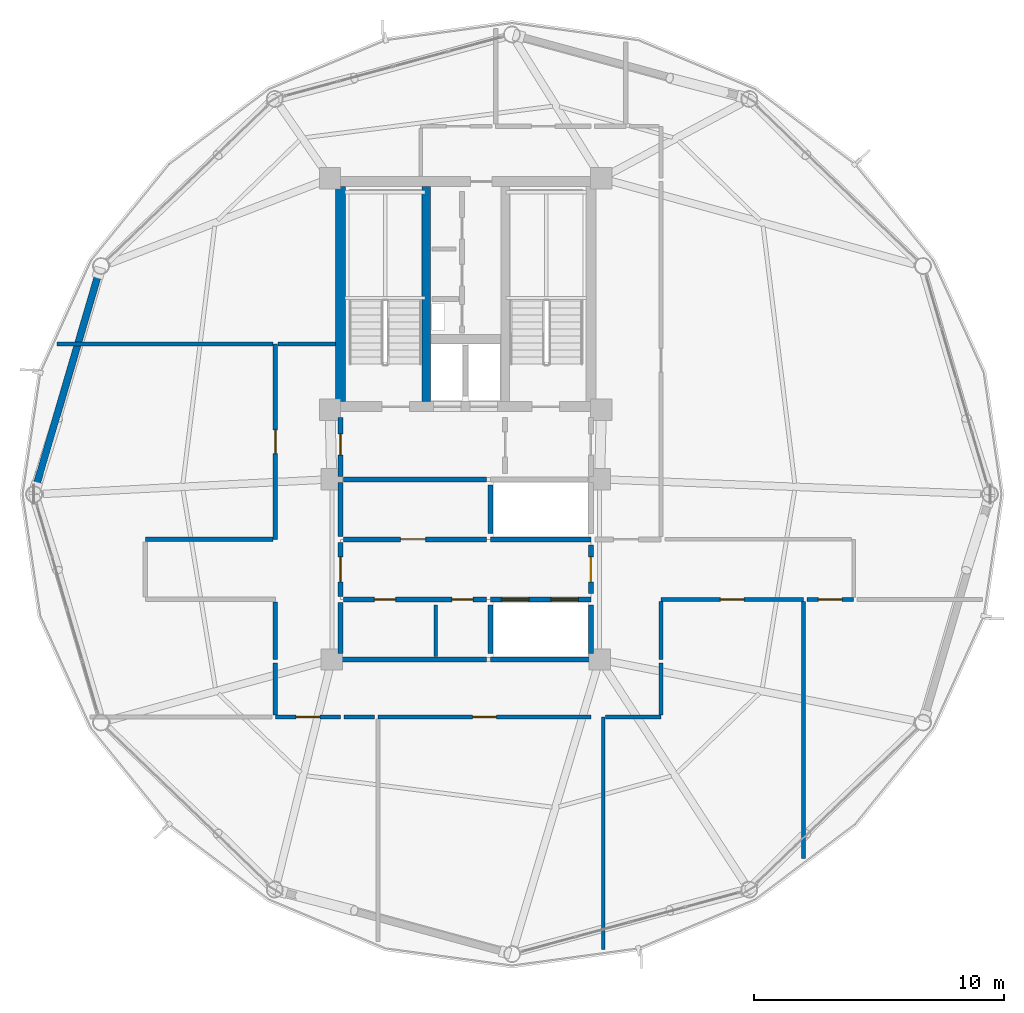
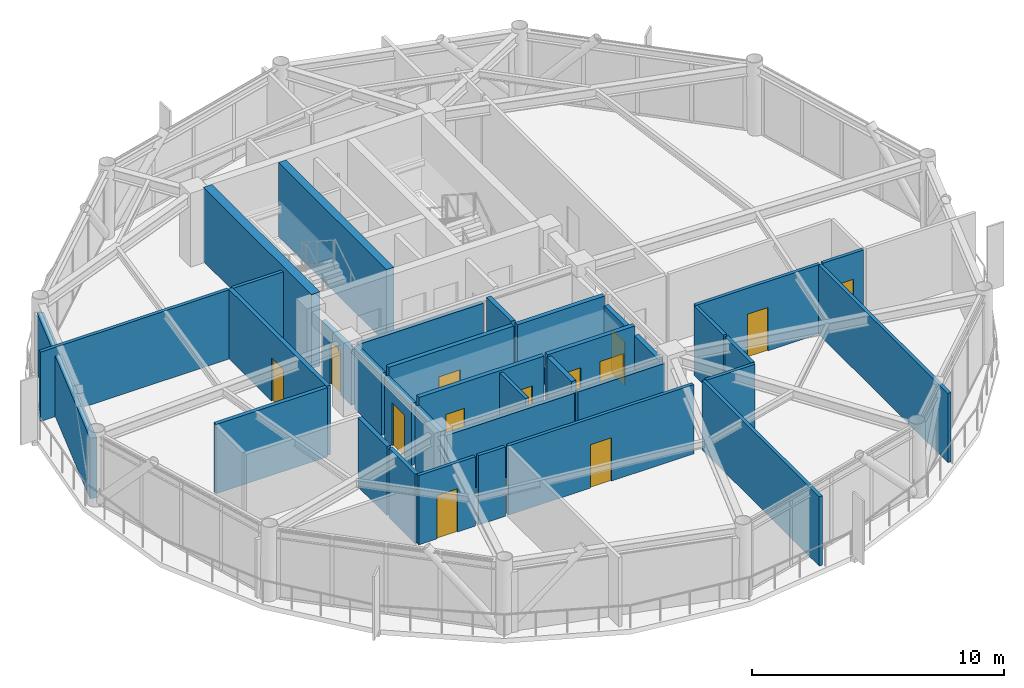
# One storey, part 23 of 28: 35 walls, 13 doors, 13 openings.
"""IFC4 building model written with IfcOpenShell, lengths in metres."""

from ifc_helpers import new_model, si_unit, direction, frame, frame_2d, origin, place, context, subcontext, project, spatial, rectangle, extrude, material, layer, layer_set, type_object, element, fill, save


model = new_model("IFC4")

# Units and contexts
model_context = context("Model", 3, precision=1e-05, world=origin(), true_north=direction((0.0, 1.0)))
body_context = subcontext(model_context, "Body", "Model", "MODEL_VIEW")
ifc_project = project(units=[si_unit("LENGTHUNIT", "METRE"), si_unit("AREAUNIT", "SQUARE_METRE"), si_unit("VOLUMEUNIT", "CUBIC_METRE"), si_unit("PLANEANGLEUNIT", "RADIAN"), si_unit("MASSUNIT", "GRAM", prefix="KILO")], contexts=[model_context])

# Site, building, storey
site_placement = place(None, origin())
site = spatial("IfcSite", under=ifc_project, at=site_placement, CompositionType="ELEMENT")
building_placement = place(site_placement, origin())
building = spatial("IfcBuilding", under=site, at=building_placement, Name="Varnakorn Sky Granary", CompositionType="ELEMENT")
storey_placement = place(building_placement, frame((0.0, 0.0, 214.800048828125)))
storey = spatial("IfcBuildingStorey", under=building, at=storey_placement, Name="L54", CompositionType="ELEMENT", Elevation=214.800048828125)

# Walls
ifc_material_1 = material(Name="Concrete C50/60", Category="concrete")
ifc_layer_1 = layer(ifc_material_1, 0.35009765625, Name="Concrete C50/60")
ifc_layer_set_1 = layer_set([ifc_layer_1], Name="Concrete C50/60")
wall_type_1 = type_object("IfcWallType", Name="WT-CW-INT-350", PredefinedType="SHEAR", material=ifc_layer_set_1)
wall_1_placement = place(storey_placement, frame((1.419921875, 3.7099609375, 0.0), z_axis=(0.0, 0.0, 1.0), x_axis=(0.0, 1.0, 0.0)))
element("IfcWall", 1, at=wall_1_placement, inside=storey, type_object=wall_type_1, Name="Stair ST-1 Core Wall L54", PredefinedType="SHEAR", context=body_context, shape_type="SweptSolid", body=[
    extrude(rectangle(XDim=8.580078125, YDim=0.35009765625, at=frame_2d((4.2900390625, 0.0))), origin(), (0.0, 0.0, 1.0), 3.592041015625),
])
ifc_layer_2 = layer(ifc_material_1, 0.39990234375, Name="Concrete C50/60")
ifc_layer_set_2 = layer_set([ifc_layer_2], Name="Concrete C50/60")
wall_type_2 = type_object("IfcWallType", Name="WT-CW-SHEAR-400", PredefinedType="SHEAR", material=ifc_layer_set_2)
wall_2_placement = place(storey_placement, frame((-2.0, 3.7099609375, 0.0), z_axis=(0.0, 0.0, 1.0), x_axis=(0.0, 1.0, 0.0)))
element("IfcWall", 2, at=wall_2_placement, inside=storey, type_object=wall_type_2, Name="Core West Shear Wall L54", PredefinedType="SHEAR", context=body_context, shape_type="SweptSolid", body=[
    extrude(rectangle(XDim=8.580078125, YDim=0.39990234375, at=frame_2d((4.2900390625, 0.0))), origin(), (0.0, 0.0, 1.0), 3.592041015625),
])
ifc_material_2 = material(Name="Precast concrete C40/50", Category="concrete")
ifc_layer_3 = layer(ifc_material_2, 0.280029296875, Name="Precast concrete C40/50")
ifc_layer_set_3 = layer_set([ifc_layer_3], Name="Precast concrete C40/50")
wall_type_3 = type_object("IfcWallType", Name="WT-EW-CRN-280", PredefinedType="SOLIDWALL", material=ifc_layer_set_3)
wall_3_placement = place(storey_placement, frame((-14.1748046875, 0.2734375, 0.0), z_axis=(0.0, 0.0, 1.0), x_axis=(0.281584930997, 0.959536308138, 0.0)))
element("IfcWall", 3, at=wall_3_placement, inside=storey, type_object=wall_type_3, Name="Agritech Insulated Precast Facade Wall L54-P06", PredefinedType="SOLIDWALL", context=body_context, shape_type="SweptSolid", body=[
    extrude(rectangle(XDim=8.935546875, YDim=0.280029296875, at=frame_2d((4.4677734375, 0.0))), origin(), (0.0, 0.0, 1.0), 2.929931640625),
])

# Wall, opening, door
ifc_material_3 = material(Name="Autoclaved Aerated Concrete Blockwork", Category="masonry")
ifc_layer_4 = layer(ifc_material_3, 0.199951171875, Name="Autoclaved Aerated Concrete Blockwork")
ifc_layer_set_4 = layer_set([ifc_layer_4], Name="Autoclaved Aerated Concrete Blockwork")
wall_type_4 = type_object("IfcWallType", Name="WT-FIRE-200", PredefinedType="MOVABLE", material=ifc_layer_set_4)
wall_4_placement = place(storey_placement, frame((-2.0, 0.719970703125, 0.0), z_axis=(0.0, 0.0, 1.0), x_axis=(0.0, 1.0, 0.0)))
wall_4 = element("IfcWall", 4, at=wall_4_placement, inside=storey, type_object=wall_type_4, Name="Interior Partition Wall L54-013", PredefinedType="MOVABLE", context=body_context, shape_type="SweptSolid", body=[
    extrude(rectangle(XDim=2.35009765625, YDim=0.199951171875, at=frame_2d((1.175048828125, 0.0))), origin(), (0.0, 0.0, 1.0), 2.69189453125),
])
opening_1_placement = place(wall_4_placement, frame((0.844970703125, 0.0, 0.0)))
opening_1 = element("IfcOpeningElement", 5, at=opening_1_placement, cuts=wall_4, Name="Opening FD-60N", PredefinedType="OPENING", context=body_context, shape_type="SweptSolid", body=[
    extrude(rectangle(XDim=0.85009765625, YDim=2.10009765625, at=frame_2d((0.425048828125, 1.050048828125))), frame((0.0, 0.10986328125, 0.0), z_axis=(0.0, -1.0, 0.0), x_axis=(1.0, 0.0, 0.0)), (0.0, 0.0, 1.0), 0.219970703125),
])
ifc_material_4 = material(Name="Acoustic Timber Fire Leaf", Category="wood")
door_type_1 = type_object("IfcDoorType", Name="DR-FD60-850", OperationType="NOTDEFINED", PredefinedType="DOOR", material=ifc_material_4)
door_1_placement = place(opening_1_placement, origin())
door_1 = element("IfcDoor", 6, at=door_1_placement, inside=storey, type_object=door_type_1, Name="Interior Door L54-013-1", OperationType="SINGLE_SWING_RIGHT", OverallHeight=2.10009765625, OverallWidth=0.85009765625, PredefinedType="DOOR", context=body_context, shape_type="SweptSolid", body=[
    extrude(rectangle(XDim=0.85009765625, YDim=2.10009765625, at=frame_2d((0.425048828125, 1.050048828125))), frame((0.0, 0.02490234375, 0.0), z_axis=(0.0, -1.0, 0.0), x_axis=(1.0, 0.0, 0.0)), (0.0, 0.0, 1.0), 0.050048828125),
])
fill(opening_1, door_1)

wall_5_placement = place(storey_placement, frame((-2.0, -4.080078125, 0.0), z_axis=(0.0, 0.0, 1.0), x_axis=(0.0, 1.0, 0.0)))
wall_5 = element("IfcWall", 7, at=wall_5_placement, inside=storey, type_object=wall_type_4, Name="Interior Partition Wall L54-015", PredefinedType="MOVABLE", context=body_context, shape_type="SweptSolid", body=[
    extrude(rectangle(XDim=2.16015625, YDim=0.199951171875, at=frame_2d((1.080078125, 0.0))), origin(), (0.0, 0.0, 1.0), 3.011962890625),
])
opening_2_placement = place(wall_5_placement, frame((0.580078125, 0.0, 0.0)))
opening_2 = element("IfcOpeningElement", 8, at=opening_2_placement, cuts=wall_5, Name="Opening FD-60", PredefinedType="OPENING", context=body_context, shape_type="SweptSolid", body=[
    extrude(rectangle(XDim=1.0, YDim=2.10009765625, at=frame_2d((0.5, 1.050048828125))), frame((0.0, 0.10986328125, 0.0), z_axis=(0.0, -1.0, 0.0), x_axis=(1.0, 0.0, 0.0)), (0.0, 0.0, 1.0), 0.219970703125),
])
door_type_2 = type_object("IfcDoorType", Name="DR-FD60-1000", OperationType="NOTDEFINED", PredefinedType="DOOR", material=ifc_material_4)
door_2_placement = place(opening_2_placement, origin())
door_2 = element("IfcDoor", 9, at=door_2_placement, inside=storey, type_object=door_type_2, Name="Interior Door L54-015-1", OperationType="SINGLE_SWING_RIGHT", OverallHeight=2.10009765625, OverallWidth=1.0, PredefinedType="DOOR", context=body_context, shape_type="SweptSolid", body=[
    extrude(rectangle(XDim=1.0, YDim=2.10009765625, at=frame_2d((0.5, 1.050048828125))), frame((0.0, 0.02490234375, 0.0), z_axis=(0.0, -1.0, 0.0), x_axis=(1.0, 0.0, 0.0)), (0.0, 0.0, 1.0), 0.050048828125),
])
fill(opening_2, door_2)

wall_6_placement = place(storey_placement, frame((8.0, -3.969970703125, 0.0), z_axis=(0.0, 0.0, 1.0), x_axis=(0.0, 1.0, 0.0)))
wall_6 = element("IfcWall", 10, at=wall_6_placement, inside=storey, type_object=wall_type_4, Name="Interior Partition Wall L54-016", PredefinedType="MOVABLE", context=body_context, shape_type="SweptSolid", body=[
    extrude(rectangle(XDim=1.93994140625, YDim=0.199951171875, at=frame_2d((0.969970703125, 0.0))), origin(), (0.0, 0.0, 1.0), 3.011962890625),
])
opening_3_placement = place(wall_6_placement, frame((0.469970703125, 0.0, 0.0)))
opening_3 = element("IfcOpeningElement", 11, at=opening_3_placement, cuts=wall_6, Name="Opening FD-60", PredefinedType="OPENING", context=body_context, shape_type="SweptSolid", body=[
    extrude(rectangle(XDim=1.0, YDim=2.10009765625, at=frame_2d((0.5, 1.050048828125))), frame((0.0, 0.10986328125, 0.0), z_axis=(0.0, -1.0, 0.0), x_axis=(1.0, 0.0, 0.0)), (0.0, 0.0, 1.0), 0.219970703125),
])
door_3_placement = place(opening_3_placement, origin())
door_3 = element("IfcDoor", 12, at=door_3_placement, inside=storey, type_object=door_type_2, Name="Interior Door L54-016-1", OperationType="SINGLE_SWING_LEFT", OverallHeight=2.10009765625, OverallWidth=1.0, PredefinedType="DOOR", context=body_context, shape_type="SweptSolid", body=[
    extrude(rectangle(XDim=1.0, YDim=2.10009765625, at=frame_2d((0.5, 1.050048828125))), frame((0.0, 0.02490234375, 0.0), z_axis=(0.0, -1.0, 0.0), x_axis=(1.0, 0.0, 0.0)), (0.0, 0.0, 1.0), 0.050048828125),
])
fill(opening_3, door_3)

wall_7_placement = place(storey_placement, frame((-1.889892578125, -1.800048828125, 0.0), z_axis=(0.0, 0.0, 1.0), x_axis=(1.0, 0.0, 0.0)))
wall_7 = element("IfcWall", 13, at=wall_7_placement, inside=storey, type_object=wall_type_4, Name="Interior Partition Wall L54-017", PredefinedType="MOVABLE", context=body_context, shape_type="SweptSolid", body=[
    extrude(rectangle(XDim=5.72998046875, YDim=0.199951171875, at=frame_2d((2.864990234375, 0.0))), origin(), (0.0, 0.0, 1.0), 3.35986328125),
])
opening_4_placement = place(wall_7_placement, frame((2.2900390625, 0.0, 0.0)))
opening_4 = element("IfcOpeningElement", 14, at=opening_4_placement, cuts=wall_7, Name="Opening FD-60", PredefinedType="OPENING", context=body_context, shape_type="SweptSolid", body=[
    extrude(rectangle(XDim=1.0, YDim=2.10009765625, at=frame_2d((0.5, 1.050048828125))), frame((0.0, 0.10986328125, 0.0), z_axis=(0.0, -1.0, 0.0), x_axis=(1.0, 0.0, 0.0)), (0.0, 0.0, 1.0), 0.219970703125),
])
door_4_placement = place(opening_4_placement, origin())
door_4 = element("IfcDoor", 15, at=door_4_placement, inside=storey, type_object=door_type_2, Name="Interior Door L54-017-1", OperationType="SINGLE_SWING_RIGHT", OverallHeight=2.10009765625, OverallWidth=1.0, PredefinedType="DOOR", context=body_context, shape_type="SweptSolid", body=[
    extrude(rectangle(XDim=1.0, YDim=2.10009765625, at=frame_2d((0.5, 1.050048828125))), frame((0.0, 0.02490234375, 0.0), z_axis=(0.0, -1.0, 0.0), x_axis=(1.0, 0.0, 0.0)), (0.0, 0.0, 1.0), 0.050048828125),
])
fill(opening_4, door_4)

# Wall, openings, doors
wall_8_placement = place(storey_placement, frame((-1.889892578125, -4.199951171875, 0.0), z_axis=(0.0, 0.0, 1.0), x_axis=(1.0, 0.0, 0.0)))
wall_8 = element("IfcWall", 16, at=wall_8_placement, inside=storey, type_object=wall_type_4, Name="Interior Partition Wall L54-018", PredefinedType="MOVABLE", context=body_context, shape_type="SweptSolid", body=[
    extrude(rectangle(XDim=5.72998046875, YDim=0.199951171875, at=frame_2d((2.864990234375, 0.0))), origin(), (0.0, 0.0, 1.0), 3.35986328125),
])
opening_5_placement = place(wall_8_placement, frame((1.239990234375, 0.0, 0.0)))
opening_5 = element("IfcOpeningElement", 17, at=opening_5_placement, cuts=wall_8, Name="Opening FD-60N", PredefinedType="OPENING", context=body_context, shape_type="SweptSolid", body=[
    extrude(rectangle(XDim=0.85009765625, YDim=2.10009765625, at=frame_2d((0.425048828125, 1.050048828125))), frame((0.0, 0.10986328125, 0.0), z_axis=(0.0, -1.0, 0.0), x_axis=(1.0, 0.0, 0.0)), (0.0, 0.0, 1.0), 0.219970703125),
])
opening_6_placement = place(wall_8_placement, frame((4.340087890625, 0.0, 0.0)))
opening_6 = element("IfcOpeningElement", 18, at=opening_6_placement, cuts=wall_8, Name="Opening FD-60N", PredefinedType="OPENING", context=body_context, shape_type="SweptSolid", body=[
    extrude(rectangle(XDim=0.85009765625, YDim=2.10009765625, at=frame_2d((0.425048828125, 1.050048828125))), frame((0.0, 0.10986328125, 0.0), z_axis=(0.0, -1.0, 0.0), x_axis=(1.0, 0.0, 0.0)), (0.0, 0.0, 1.0), 0.219970703125),
])
door_5_placement = place(opening_5_placement, origin())
door_5 = element("IfcDoor", 19, at=door_5_placement, inside=storey, type_object=door_type_1, Name="Interior Door L54-018-1", OperationType="SINGLE_SWING_LEFT", OverallHeight=2.10009765625, OverallWidth=0.85009765625, PredefinedType="DOOR", context=body_context, shape_type="SweptSolid", body=[
    extrude(rectangle(XDim=0.85009765625, YDim=2.10009765625, at=frame_2d((0.425048828125, 1.050048828125))), frame((0.0, 0.02490234375, 0.0), z_axis=(0.0, -1.0, 0.0), x_axis=(1.0, 0.0, 0.0)), (0.0, 0.0, 1.0), 0.050048828125),
])
fill(opening_5, door_5)
door_6_placement = place(opening_6_placement, origin())
door_6 = element("IfcDoor", 20, at=door_6_placement, inside=storey, type_object=door_type_1, Name="Interior Door L54-018-2", OperationType="SINGLE_SWING_RIGHT", OverallHeight=2.10009765625, OverallWidth=0.85009765625, PredefinedType="DOOR", context=body_context, shape_type="SweptSolid", body=[
    extrude(rectangle(XDim=0.85009765625, YDim=2.10009765625, at=frame_2d((0.425048828125, 1.050048828125))), frame((0.0, 0.02490234375, 0.0), z_axis=(0.0, -1.0, 0.0), x_axis=(1.0, 0.0, 0.0)), (0.0, 0.0, 1.0), 0.050048828125),
])
fill(opening_6, door_6)

# Walls
wall_9_placement = place(storey_placement, frame((-1.8798828125, 0.60009765625, 0.0), z_axis=(0.0, 0.0, 1.0), x_axis=(1.0, 0.0, 0.0)))
element("IfcWall", 21, at=wall_9_placement, inside=storey, type_object=wall_type_4, Name="Interior Partition Wall L54-029", PredefinedType="MOVABLE", context=body_context, shape_type="SweptSolid", body=[
    extrude(rectangle(XDim=5.719970703125, YDim=0.199951171875, at=frame_2d((2.85986328125, 0.0))), origin(), (0.0, 0.0, 1.0), 3.011962890625),
])
wall_10_placement = place(storey_placement, frame((-2.0, -1.679931640625, 0.0), z_axis=(0.0, 0.0, 1.0), x_axis=(0.0, 1.0, 0.0)))
element("IfcWall", 22, at=wall_10_placement, inside=storey, type_object=wall_type_4, Name="Interior Partition Wall L54-030", PredefinedType="MOVABLE", context=body_context, shape_type="SweptSolid", body=[
    extrude(rectangle(XDim=2.159912109375, YDim=0.199951171875, at=frame_2d((1.080078125, 0.0))), origin(), (0.0, 0.0, 1.0), 3.011962890625),
])
wall_11_placement = place(storey_placement, frame((-2.0, -6.60009765625, 0.0), z_axis=(0.0, 0.0, 1.0), x_axis=(1.0, 0.0, 0.0)))
element("IfcWall", 23, at=wall_11_placement, inside=storey, type_object=wall_type_4, Name="Interior Partition Wall L54-032", PredefinedType="MOVABLE", context=body_context, shape_type="SweptSolid", body=[
    extrude(rectangle(XDim=5.840087890625, YDim=0.199951171875, at=frame_2d((2.919921875, 0.0))), origin(), (0.0, 0.0, 1.0), 3.011962890625),
])
wall_12_placement = place(storey_placement, frame((-2.0, -6.3701171875, 0.0), z_axis=(0.0, 0.0, 1.0), x_axis=(0.0, 1.0, 0.0)))
element("IfcWall", 24, at=wall_12_placement, inside=storey, type_object=wall_type_4, Name="Interior Partition Wall L54-033", PredefinedType="MOVABLE", context=body_context, shape_type="SweptSolid", body=[
    extrude(rectangle(XDim=2.050048828125, YDim=0.199951171875, at=frame_2d((1.02490234375, 0.0))), origin(), (0.0, 0.0, 1.0), 3.011962890625),
])

# Wall, opening, door
ifc_material_5 = material(Name="Gypsum Plasterboard on Steel Stud", Category="steel")
ifc_layer_5 = layer(ifc_material_5, 0.14990234375, Name="Gypsum Plasterboard on Steel Stud")
ifc_layer_set_5 = layer_set([ifc_layer_5], Name="Gypsum Plasterboard on Steel Stud")
wall_type_5 = type_object("IfcWallType", Name="WT-PART-150", PredefinedType="PARTITIONING", material=ifc_layer_set_5)
wall_13_placement = place(storey_placement, frame((-4.60009765625, -8.89990234375, 0.0), z_axis=(0.0, 0.0, 1.0), x_axis=(1.0, 0.0, 0.0)))
wall_13 = element("IfcWall", 25, at=wall_13_placement, inside=storey, type_object=wall_type_5, Name="Interior Partition Wall L54-021", PredefinedType="PARTITIONING", context=body_context, shape_type="SweptSolid", body=[
    extrude(rectangle(XDim=2.60009765625, YDim=0.14990234375, at=frame_2d((1.300048828125, 0.0))), origin(), (0.0, 0.0, 1.0), 3.35986328125),
])
opening_7_placement = place(wall_13_placement, frame((0.824951171875, 0.0, 0.0)))
opening_7 = element("IfcOpeningElement", 26, at=opening_7_placement, cuts=wall_13, Name="Opening ID-95", PredefinedType="OPENING", context=body_context, shape_type="SweptSolid", body=[
    extrude(rectangle(XDim=0.949951171875, YDim=2.10009765625, at=frame_2d((0.47509765625, 1.050048828125))), frame((0.0, 0.0849609375, 0.0), z_axis=(0.0, -1.0, 0.0), x_axis=(1.0, 0.0, 0.0)), (0.0, 0.0, 1.0), 0.169921875),
])
ifc_material_6 = material(Name="Solid-Core Teak Veneer Leaf", Category="timber")
door_type_3 = type_object("IfcDoorType", Name="DR-INT-950", OperationType="NOTDEFINED", PredefinedType="DOOR", material=ifc_material_6)
door_7_placement = place(opening_7_placement, origin())
door_7 = element("IfcDoor", 27, at=door_7_placement, inside=storey, type_object=door_type_3, Name="Interior Door L54-021-1", OperationType="SINGLE_SWING_LEFT", OverallHeight=2.10009765625, OverallWidth=0.949951171875, PredefinedType="DOOR", context=body_context, shape_type="SweptSolid", body=[
    extrude(rectangle(XDim=0.949951171875, YDim=2.10009765625, at=frame_2d((0.47509765625, 1.050048828125))), frame((0.0, 0.02490234375, 0.0), z_axis=(0.0, -1.0, 0.0), x_axis=(1.0, 0.0, 0.0)), (0.0, 0.0, 1.0), 0.050048828125),
])
fill(opening_7, door_7)

wall_14_placement = place(storey_placement, frame((-0.5, -8.89990234375, 0.0), z_axis=(0.0, 0.0, 1.0), x_axis=(1.0, 0.0, 0.0)))
wall_14 = element("IfcWall", 28, at=wall_14_placement, inside=storey, type_object=wall_type_5, Name="Interior Partition Wall L54-022", PredefinedType="PARTITIONING", context=body_context, shape_type="SweptSolid", body=[
    extrude(rectangle(XDim=8.5, YDim=0.14990234375, at=frame_2d((4.25, 0.0))), origin(), (0.0, 0.0, 1.0), 3.35986328125),
])
opening_8_placement = place(wall_14_placement, frame((3.77490234375, 0.0, 0.0)))
opening_8 = element("IfcOpeningElement", 29, at=opening_8_placement, cuts=wall_14, Name="Opening ID-95", PredefinedType="OPENING", context=body_context, shape_type="SweptSolid", body=[
    extrude(rectangle(XDim=0.949951171875, YDim=2.10009765625, at=frame_2d((0.47509765625, 1.050048828125))), frame((0.0, 0.0849609375, 0.0), z_axis=(0.0, -1.0, 0.0), x_axis=(1.0, 0.0, 0.0)), (0.0, 0.0, 1.0), 0.169921875),
])
door_8_placement = place(opening_8_placement, origin())
door_8 = element("IfcDoor", 30, at=door_8_placement, inside=storey, type_object=door_type_3, Name="Interior Door L54-022-1", OperationType="SINGLE_SWING_RIGHT", OverallHeight=2.10009765625, OverallWidth=0.949951171875, PredefinedType="DOOR", context=body_context, shape_type="SweptSolid", body=[
    extrude(rectangle(XDim=0.949951171875, YDim=2.10009765625, at=frame_2d((0.47509765625, 1.050048828125))), frame((0.0, 0.02490234375, 0.0), z_axis=(0.0, -1.0, 0.0), x_axis=(1.0, 0.0, 0.0)), (0.0, 0.0, 1.0), 0.050048828125),
])
fill(opening_8, door_8)

wall_15_placement = place(storey_placement, frame((10.800048828125, -4.199951171875, 0.0), z_axis=(0.0, 0.0, 1.0), x_axis=(1.0, 0.0, 0.0)))
wall_15 = element("IfcWall", 31, at=wall_15_placement, inside=storey, type_object=wall_type_5, Name="Interior Partition Wall L54-023", PredefinedType="PARTITIONING", context=body_context, shape_type="SweptSolid", body=[
    extrude(rectangle(XDim=5.699951171875, YDim=0.14990234375, at=frame_2d((2.85009765625, 0.0))), origin(), (0.0, 0.0, 1.0), 3.35986328125),
])
opening_9_placement = place(wall_15_placement, frame((2.375, 0.0, 0.0)))
opening_9 = element("IfcOpeningElement", 32, at=opening_9_placement, cuts=wall_15, Name="Opening ID-95", PredefinedType="OPENING", context=body_context, shape_type="SweptSolid", body=[
    extrude(rectangle(XDim=0.949951171875, YDim=2.10009765625, at=frame_2d((0.47509765625, 1.050048828125))), frame((0.0, 0.0849609375, 0.0), z_axis=(0.0, -1.0, 0.0), x_axis=(1.0, 0.0, 0.0)), (0.0, 0.0, 1.0), 0.169921875),
])
door_9_placement = place(opening_9_placement, origin())
door_9 = element("IfcDoor", 33, at=door_9_placement, inside=storey, type_object=door_type_3, Name="Interior Door L54-023-1", OperationType="SINGLE_SWING_LEFT", OverallHeight=2.10009765625, OverallWidth=0.949951171875, PredefinedType="DOOR", context=body_context, shape_type="SweptSolid", body=[
    extrude(rectangle(XDim=0.949951171875, YDim=2.10009765625, at=frame_2d((0.47509765625, 1.050048828125))), frame((0.0, 0.02490234375, 0.0), z_axis=(0.0, -1.0, 0.0), x_axis=(1.0, 0.0, 0.0)), (0.0, 0.0, 1.0), 0.050048828125),
])
fill(opening_9, door_9)

wall_16_placement = place(storey_placement, frame((16.635009765625, -4.199951171875, 0.0), z_axis=(0.0, 0.0, 1.0), x_axis=(1.0, 0.0, 0.0)))
wall_16 = element("IfcWall", 34, at=wall_16_placement, inside=storey, type_object=wall_type_5, Name="Interior Partition Wall L54-024", PredefinedType="PARTITIONING", context=body_context, shape_type="SweptSolid", body=[
    extrude(rectangle(XDim=1.864990234375, YDim=0.14990234375, at=frame_2d((0.9326171875, 0.0))), origin(), (0.0, 0.0, 1.0), 3.35986328125),
])
opening_10_placement = place(wall_16_placement, frame((0.449951171875, 0.0, 0.0)))
opening_10 = element("IfcOpeningElement", 35, at=opening_10_placement, cuts=wall_16, Name="Opening ID-95", PredefinedType="OPENING", context=body_context, shape_type="SweptSolid", body=[
    extrude(rectangle(XDim=0.949951171875, YDim=2.10009765625, at=frame_2d((0.47509765625, 1.050048828125))), frame((0.0, 0.0849609375, 0.0), z_axis=(0.0, -1.0, 0.0), x_axis=(1.0, 0.0, 0.0)), (0.0, 0.0, 1.0), 0.169921875),
])
door_10_placement = place(opening_10_placement, origin())
door_10 = element("IfcDoor", 36, at=door_10_placement, inside=storey, type_object=door_type_3, Name="Interior Door L54-024-1", OperationType="SINGLE_SWING_RIGHT", OverallHeight=2.10009765625, OverallWidth=0.949951171875, PredefinedType="DOOR", context=body_context, shape_type="SweptSolid", body=[
    extrude(rectangle(XDim=0.949951171875, YDim=2.10009765625, at=frame_2d((0.47509765625, 1.050048828125))), frame((0.0, 0.02490234375, 0.0), z_axis=(0.0, -1.0, 0.0), x_axis=(1.0, 0.0, 0.0)), (0.0, 0.0, 1.0), 0.050048828125),
])
fill(opening_10, door_10)

# Walls
wall_17_placement = place(storey_placement, frame((1.800048828125, -6.47998046875, 0.0), z_axis=(0.0, 0.0, 1.0), x_axis=(0.0, 1.0, 0.0)))
element("IfcWall", 37, at=wall_17_placement, inside=storey, type_object=wall_type_5, Name="Interior Partition Wall L54-031", PredefinedType="PARTITIONING", context=body_context, shape_type="SweptSolid", body=[
    extrude(rectangle(XDim=2.050048828125, YDim=0.14990234375, at=frame_2d((1.02490234375, 0.0))), origin(), (0.0, 0.0, 1.0), 3.35986328125),
])
wall_18_placement = place(storey_placement, frame((-1.864990234375, -8.89990234375, 0.0), z_axis=(0.0, 0.0, 1.0), x_axis=(1.0, 0.0, 0.0)))
element("IfcWall", 38, at=wall_18_placement, inside=storey, type_object=wall_type_5, Name="Interior Partition Wall L54-035", PredefinedType="PARTITIONING", context=body_context, shape_type="SweptSolid", body=[
    extrude(rectangle(XDim=1.22998046875, YDim=0.14990234375, at=frame_2d((0.614990234375, 0.0))), origin(), (0.0, 0.0, 1.0), 3.35986328125),
])
wall_19_placement = place(storey_placement, frame((8.5, -8.89990234375, 0.0), z_axis=(0.0, 0.0, 1.0), x_axis=(0.0, -1.0, 0.0)))
element("IfcWall", 39, at=wall_19_placement, inside=storey, type_object=wall_type_5, Name="Interior Partition Wall L54-038", PredefinedType="PARTITIONING", context=body_context, shape_type="SweptSolid", body=[
    extrude(rectangle(XDim=9.2919921875, YDim=0.14990234375, at=frame_2d((4.64599609375, 0.0))), origin(), (0.0, 0.0, 1.0), 3.35986328125),
])
wall_20_placement = place(storey_placement, frame((10.800048828125, -6.60009765625, 0.0), z_axis=(0.0, 0.0, 1.0), x_axis=(0.0, 1.0, 0.0)))
element("IfcWall", 40, at=wall_20_placement, inside=storey, type_object=wall_type_5, Name="Interior Partition Wall L54-039", PredefinedType="PARTITIONING", context=body_context, shape_type="SweptSolid", body=[
    extrude(rectangle(XDim=2.315185546875, YDim=0.14990234375, at=frame_2d((1.15771484375, 0.0))), origin(), (0.0, 0.0, 1.0), 3.35986328125),
])
wall_21_placement = place(storey_placement, frame((8.5849609375, -8.89990234375, 0.0), z_axis=(0.0, 0.0, 1.0), x_axis=(1.0, 0.0, 0.0)))
element("IfcWall", 41, at=wall_21_placement, inside=storey, type_object=wall_type_5, Name="Interior Partition Wall L54-040", PredefinedType="PARTITIONING", context=body_context, shape_type="SweptSolid", body=[
    extrude(rectangle(XDim=2.215087890625, YDim=0.14990234375, at=frame_2d((1.107421875, 0.0))), origin(), (0.0, 0.0, 1.0), 3.35986328125),
])
wall_22_placement = place(storey_placement, frame((10.800048828125, -8.81494140625, 0.0), z_axis=(0.0, 0.0, 1.0), x_axis=(0.0, 1.0, 0.0)))
element("IfcWall", 42, at=wall_22_placement, inside=storey, type_object=wall_type_5, Name="Interior Partition Wall L54-041", PredefinedType="PARTITIONING", context=body_context, shape_type="SweptSolid", body=[
    extrude(rectangle(XDim=2.079833984375, YDim=0.14990234375, at=frame_2d((1.0400390625, 0.0))), origin(), (0.0, 0.0, 1.0), 3.35986328125),
])
wall_23_placement = place(storey_placement, frame((16.5, -4.284912109375, 0.0), z_axis=(0.0, 0.0, 1.0), x_axis=(0.0, -1.0, 0.0)))
element("IfcWall", 43, at=wall_23_placement, inside=storey, type_object=wall_type_5, Name="Interior Partition Wall L54-042", PredefinedType="PARTITIONING", context=body_context, shape_type="SweptSolid", body=[
    extrude(rectangle(XDim=10.26904296875, YDim=0.14990234375, at=frame_2d((5.134521484375, 0.0))), origin(), (0.0, 0.0, 1.0), 3.35986328125),
])
wall_24_placement = place(storey_placement, frame((-13.3291015625, 6.0, 0.0), z_axis=(0.0, 0.0, 1.0), x_axis=(1.0, 0.0, 0.0)))
element("IfcWall", 44, at=wall_24_placement, inside=storey, type_object=wall_type_5, Name="Interior Partition Wall L54-049", PredefinedType="PARTITIONING", context=body_context, shape_type="SweptSolid", body=[
    extrude(rectangle(XDim=8.629150390625, YDim=0.14990234375, at=frame_2d((4.314453125, 0.0))), origin(), (0.0, 0.0, 1.0), 3.35986328125),
])
wall_25_placement = place(storey_placement, frame((-2.2099609375, 6.0, 0.0), z_axis=(0.0, 0.0, 1.0), x_axis=(-1.0, 0.0, 0.0)))
element("IfcWall", 45, at=wall_25_placement, inside=storey, type_object=wall_type_5, Name="Interior Partition Wall L54-051", PredefinedType="PARTITIONING", context=body_context, shape_type="SweptSolid", body=[
    extrude(rectangle(XDim=2.2900390625, YDim=0.14990234375, at=frame_2d((1.14501953125, 0.0))), origin(), (0.0, 0.0, 1.0), 3.35986328125),
])

# Wall, opening, door
ifc_material_7 = material(Name="Moisture-Resistant Gypsum on Stud", Category="gypsum")
ifc_layer_6 = layer(ifc_material_7, 0.179931640625, Name="Moisture-Resistant Gypsum on Stud")
ifc_layer_set_6 = layer_set([ifc_layer_6], Name="Moisture-Resistant Gypsum on Stud")
wall_type_6 = type_object("IfcWallType", Name="WT-PLUMB-180", PredefinedType="PLUMBINGWALL", material=ifc_layer_set_6)
wall_26_placement = place(storey_placement, frame((-4.60009765625, 6.0, 0.0), z_axis=(0.0, 0.0, 1.0), x_axis=(0.0, -1.0, 0.0)))
wall_26 = element("IfcWall", 46, at=wall_26_placement, inside=storey, type_object=wall_type_6, Name="Interior Partition Wall L54-025", PredefinedType="PLUMBINGWALL", context=body_context, shape_type="SweptSolid", body=[
    extrude(rectangle(XDim=7.800048828125, YDim=0.179931640625, at=frame_2d((3.89990234375, 0.0))), origin(), (0.0, 0.0, 1.0), 3.35986328125),
])
opening_11_placement = place(wall_26_placement, frame((3.425048828125, 0.0, 0.0)))
opening_11 = element("IfcOpeningElement", 47, at=opening_11_placement, cuts=wall_26, Name="Opening ID-95", PredefinedType="OPENING", context=body_context, shape_type="SweptSolid", body=[
    extrude(rectangle(XDim=0.949951171875, YDim=2.10009765625, at=frame_2d((0.47509765625, 1.050048828125))), frame((0.0, 0.10009765625, 0.0), z_axis=(0.0, -1.0, 0.0), x_axis=(1.0, 0.0, 0.0)), (0.0, 0.0, 1.0), 0.199951171875),
])
door_11_placement = place(opening_11_placement, origin())
door_11 = element("IfcDoor", 48, at=door_11_placement, inside=storey, type_object=door_type_3, Name="Interior Door L54-025-1", OperationType="SINGLE_SWING_LEFT", OverallHeight=2.10009765625, OverallWidth=0.949951171875, PredefinedType="DOOR", context=body_context, shape_type="SweptSolid", body=[
    extrude(rectangle(XDim=0.949951171875, YDim=2.10009765625, at=frame_2d((0.47509765625, 1.050048828125))), frame((0.0, 0.02490234375, 0.0), z_axis=(0.0, -1.0, 0.0), x_axis=(1.0, 0.0, 0.0)), (0.0, 0.0, 1.0), 0.050048828125),
])
fill(opening_11, door_11)

# Walls
wall_27_placement = place(storey_placement, frame((-4.699951171875, -1.800048828125, 0.0), z_axis=(0.0, 0.0, 1.0), x_axis=(-1.0, 0.0, 0.0)))
element("IfcWall", 49, at=wall_27_placement, inside=storey, type_object=wall_type_6, Name="Interior Partition Wall L54-044", PredefinedType="PLUMBINGWALL", context=body_context, shape_type="SweptSolid", body=[
    extrude(rectangle(XDim=5.10009765625, YDim=0.179931640625, at=frame_2d((2.550048828125, 0.0))), origin(), (0.0, 0.0, 1.0), 3.35986328125),
])
wall_28_placement = place(storey_placement, frame((-4.60009765625, -4.300048828125, 0.0), z_axis=(0.0, 0.0, 1.0), x_axis=(0.0, -1.0, 0.0)))
element("IfcWall", 50, at=wall_28_placement, inside=storey, type_object=wall_type_6, Name="Interior Partition Wall L54-047", PredefinedType="PLUMBINGWALL", context=body_context, shape_type="SweptSolid", body=[
    extrude(rectangle(XDim=2.300048828125, YDim=0.179931640625, at=frame_2d((1.14990234375, 0.0))), origin(), (0.0, 0.0, 1.0), 3.35986328125),
])
wall_29_placement = place(storey_placement, frame((-4.60009765625, -6.75, 0.0), z_axis=(0.0, 0.0, 1.0), x_axis=(0.0, -1.0, 0.0)))
element("IfcWall", 51, at=wall_29_placement, inside=storey, type_object=wall_type_6, Name="Interior Partition Wall L54-048", PredefinedType="PLUMBINGWALL", context=body_context, shape_type="SweptSolid", body=[
    extrude(rectangle(XDim=2.06494140625, YDim=0.179931640625, at=frame_2d((1.032470703125, 0.0))), origin(), (0.0, 0.0, 1.0), 3.35986328125),
])
ifc_layer_7 = layer(ifc_material_3, 0.199951171875, Name="Autoclaved Aerated Concrete Blockwork")
ifc_layer_set_7 = layer_set([ifc_layer_7], Name="Autoclaved Aerated Concrete Blockwork")
wall_type_7 = type_object("IfcWallType", Name="WT-SHAFT-200", PredefinedType="SOLIDWALL", material=ifc_layer_set_7)
wall_30_placement = place(storey_placement, frame((4.0, -1.800048828125, 0.0), z_axis=(0.0, 0.0, 1.0), x_axis=(1.0, 0.0, 0.0)))
element("IfcWall", 52, at=wall_30_placement, inside=storey, type_object=wall_type_7, Name="Interior Partition Wall L54-004", PredefinedType="SOLIDWALL", context=body_context, shape_type="SweptSolid", body=[
    extrude(rectangle(XDim=4.0, YDim=0.199951171875, at=frame_2d((2.0, 0.0))), origin(), (0.0, 0.0, 1.0), 3.35986328125),
])
wall_31_placement = place(storey_placement, frame((4.0, -1.570068359375, 0.0), z_axis=(0.0, 0.0, 1.0), x_axis=(0.0, 1.0, 0.0)))
element("IfcWall", 53, at=wall_31_placement, inside=storey, type_object=wall_type_7, Name="Interior Partition Wall L54-005", PredefinedType="SOLIDWALL", context=body_context, shape_type="SweptSolid", body=[
    extrude(rectangle(XDim=1.940185546875, YDim=0.199951171875, at=frame_2d((0.97021484375, 0.0))), origin(), (0.0, 0.0, 1.0), 3.35986328125),
])

# Wall, openings, doors
wall_32_placement = place(storey_placement, frame((4.0, -4.199951171875, 0.0), z_axis=(0.0, 0.0, 1.0), x_axis=(1.0, 0.0, 0.0)))
wall_32 = element("IfcWall", 54, at=wall_32_placement, inside=storey, type_object=wall_type_7, Name="Interior Partition Wall L54-007", PredefinedType="SOLIDWALL", context=body_context, shape_type="SweptSolid", body=[
    extrude(rectangle(XDim=4.0, YDim=0.199951171875, at=frame_2d((2.0, 0.0))), origin(), (0.0, 0.0, 1.0), 3.35986328125),
])
opening_12_placement = place(wall_32_placement, frame((0.429931640625, 0.0, 0.0)))
opening_12 = element("IfcOpeningElement", 55, at=opening_12_placement, cuts=wall_32, Name="Opening LD-01", PredefinedType="OPENING", context=body_context, shape_type="SweptSolid", body=[
    extrude(rectangle(XDim=1.10009765625, YDim=2.199951171875, at=frame_2d((0.550048828125, 1.10009765625))), frame((0.0, 0.10986328125, 0.0), z_axis=(0.0, -1.0, 0.0), x_axis=(1.0, 0.0, 0.0)), (0.0, 0.0, 1.0), 0.219970703125),
])
opening_13_placement = place(wall_32_placement, frame((2.39990234375, 0.0, 0.0)))
opening_13 = element("IfcOpeningElement", 56, at=opening_13_placement, cuts=wall_32, Name="Opening LD-01", PredefinedType="OPENING", context=body_context, shape_type="SweptSolid", body=[
    extrude(rectangle(XDim=1.10009765625, YDim=2.199951171875, at=frame_2d((0.550048828125, 1.10009765625))), frame((0.0, 0.10986328125, 0.0), z_axis=(0.0, -1.0, 0.0), x_axis=(1.0, 0.0, 0.0)), (0.0, 0.0, 1.0), 0.219970703125),
])
ifc_material_8 = material(Name="Brushed Bronze Stainless Steel", Category="steel")
door_type_4 = type_object("IfcDoorType", Name="DR-LD-1100", OperationType="DOUBLE_DOOR_SLIDING", PredefinedType="DOOR", material=ifc_material_8)
door_12_placement = place(opening_12_placement, origin())
door_12 = element("IfcDoor", 57, at=door_12_placement, inside=storey, type_object=door_type_4, Name="Passenger Lift PL-H1 Sliding Landing Door L54", OperationType="DOUBLE_DOOR_SLIDING", OverallHeight=2.199951171875, OverallWidth=1.10009765625, PredefinedType="DOOR", context=body_context, shape_type="SweptSolid", body=[
    extrude(rectangle(XDim=1.10009765625, YDim=2.199951171875, at=frame_2d((0.550048828125, 1.10009765625))), frame((0.0, 0.02490234375, 0.0), z_axis=(0.0, -1.0, 0.0), x_axis=(1.0, 0.0, 0.0)), (0.0, 0.0, 1.0), 0.050048828125),
])
fill(opening_12, door_12)
door_13_placement = place(opening_13_placement, origin())
door_13 = element("IfcDoor", 58, at=door_13_placement, inside=storey, type_object=door_type_4, Name="Passenger Lift PL-H2 Sliding Landing Door L54", OperationType="DOUBLE_DOOR_SLIDING", OverallHeight=2.199951171875, OverallWidth=1.10009765625, PredefinedType="DOOR", context=body_context, shape_type="SweptSolid", body=[
    extrude(rectangle(XDim=1.10009765625, YDim=2.199951171875, at=frame_2d((0.550048828125, 1.10009765625))), frame((0.0, 0.02490234375, 0.0), z_axis=(0.0, -1.0, 0.0), x_axis=(1.0, 0.0, 0.0)), (0.0, 0.0, 1.0), 0.050048828125),
])
fill(opening_13, door_13)

# Walls
wall_33_placement = place(storey_placement, frame((4.0, -6.60009765625, 0.0), z_axis=(0.0, 0.0, 1.0), x_axis=(1.0, 0.0, 0.0)))
element("IfcWall", 59, at=wall_33_placement, inside=storey, type_object=wall_type_7, Name="Interior Partition Wall L54-008", PredefinedType="SOLIDWALL", context=body_context, shape_type="SweptSolid", body=[
    extrude(rectangle(XDim=4.0, YDim=0.199951171875, at=frame_2d((2.0, 0.0))), origin(), (0.0, 0.0, 1.0), 3.011962890625),
])
wall_34_placement = place(storey_placement, frame((4.0, -6.3701171875, 0.0), z_axis=(0.0, 0.0, 1.0), x_axis=(0.0, 1.0, 0.0)))
element("IfcWall", 60, at=wall_34_placement, inside=storey, type_object=wall_type_7, Name="Interior Partition Wall L54-009", PredefinedType="SOLIDWALL", context=body_context, shape_type="SweptSolid", body=[
    extrude(rectangle(XDim=1.940185546875, YDim=0.199951171875, at=frame_2d((0.97021484375, 0.0))), origin(), (0.0, 0.0, 1.0), 3.35986328125),
])
wall_35_placement = place(storey_placement, frame((8.0, -6.3701171875, 0.0), z_axis=(0.0, 0.0, 1.0), x_axis=(0.0, 1.0, 0.0)))
element("IfcWall", 61, at=wall_35_placement, inside=storey, type_object=wall_type_7, Name="Interior Partition Wall L54-010", PredefinedType="SOLIDWALL", context=body_context, shape_type="SweptSolid", body=[
    extrude(rectangle(XDim=1.940185546875, YDim=0.199951171875, at=frame_2d((0.97021484375, 0.0))), origin(), (0.0, 0.0, 1.0), 3.011962890625),
])

save(model, "model.ifc")
